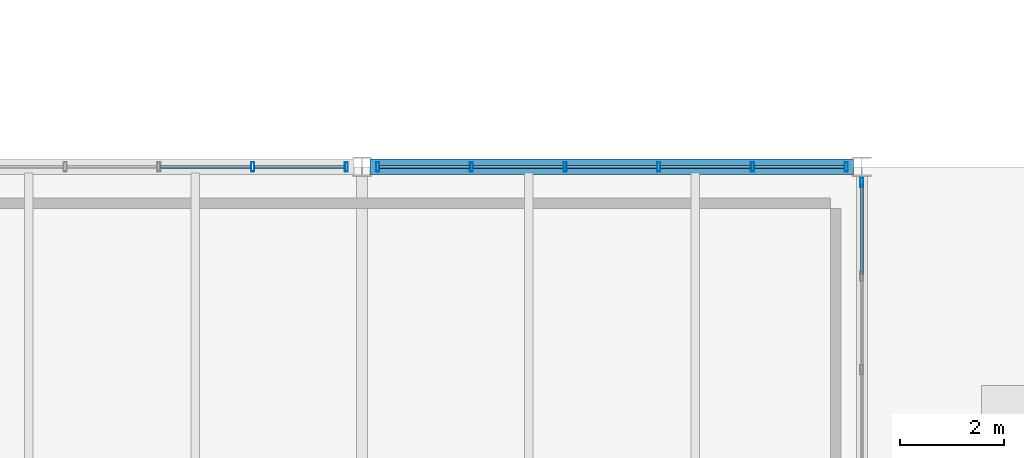
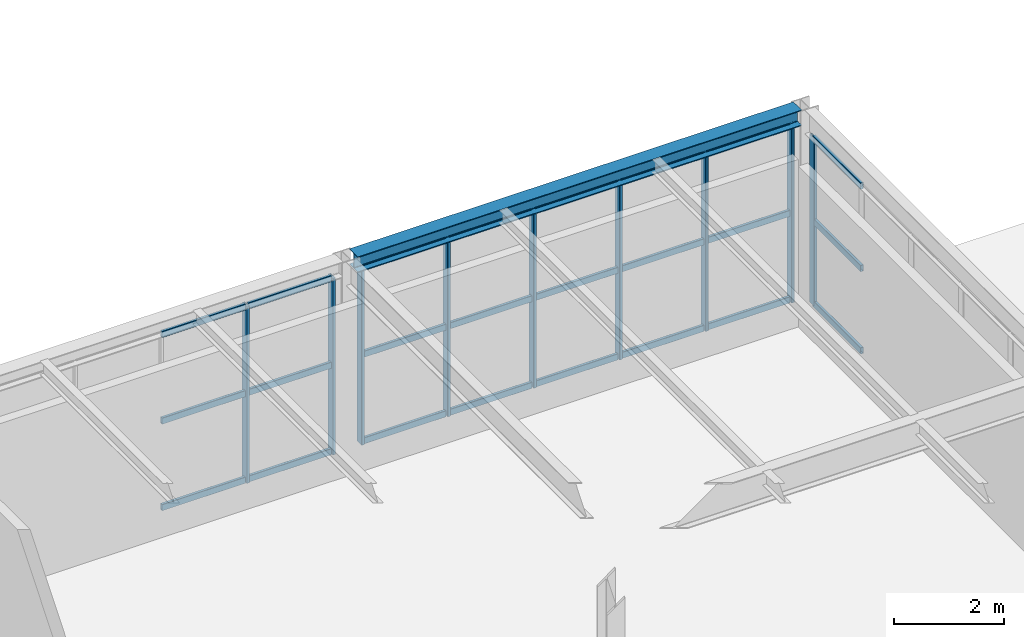
# One storey, part 49 of 170: 33 members, 1 beam, 3 elements without a shape of their own.
"""IFC4 building model written with IfcOpenShell, lengths in metres."""

from ifc_helpers import new_model, si_unit, direction, frame, origin, origin_2d, place, context, subcontext, project, spatial, hollow_rectangle, i_section, extrude, material, material_profile, profile_set, type_object, element, aggregate, save


model = new_model("IFC4")

# Units and contexts
model_context = context("Model", 3, precision=1e-05, world=origin(), true_north=direction((0.0, 1.0)))
body_context = subcontext(model_context, "Body", "Model", "MODEL_VIEW")
ifc_project = project(units=[si_unit("LENGTHUNIT", "METRE"), si_unit("AREAUNIT", "SQUARE_METRE"), si_unit("VOLUMEUNIT", "CUBIC_METRE"), si_unit("PLANEANGLEUNIT", "RADIAN"), si_unit("MASSUNIT", "GRAM", prefix="KILO")], contexts=[model_context])

# Site, building, storey
site_placement = place(None, origin())
site = spatial("IfcSite", under=ifc_project, at=site_placement, CompositionType="ELEMENT")
building_placement = place(site_placement, origin())
building = spatial("IfcBuilding", under=site, at=building_placement, Name="Coralgate Yard Interchange", CompositionType="ELEMENT")
storey_placement = place(building_placement, frame((0.0, 0.0, 6.0)))
storey = spatial("IfcBuildingStorey", under=building, at=storey_placement, Name="L01", CompositionType="ELEMENT", Elevation=6.0)

# Beam
ifc_material_1 = material(Name="Structural steel S355J2", Category="steel")
ifc_material_profile_1 = material_profile(ifc_material_1, i_section(OverallWidth=0.300048828125, OverallDepth=0.35009765625, WebThickness=0.010009765625, FlangeThickness=0.017578125, FilletRadius=0.027099609375, at=origin_2d()), Name="HEA 360")
ifc_profile_set_1 = profile_set([ifc_material_profile_1], Name="Structural steel S355J2")
beam_type = type_object("IfcBeamType", Name="BM-SP-1", PredefinedType="SPANDREL", material=ifc_profile_set_1)
beam_placement = place(storey_placement, frame((19.356201171875, 57.60009765625, 4.074951171875), z_axis=(1.0, 0.0, 0.0), x_axis=(0.0, 1.0, 0.0)))
element("IfcBeam", 1, at=beam_placement, inside=storey, type_object=beam_type, Name="L01 primary grid beam Y6 X2-3", PredefinedType="SPANDREL", context=body_context, shape_type="SweptSolid", body=[
    extrude(i_section(OverallWidth=0.300048828125, OverallDepth=0.35009765625, WebThickness=0.010009765625, FlangeThickness=0.017578125, FilletRadius=0.027099609375, at=origin_2d()), origin(), (0.0, 0.0, 1.0), 9.28759765625),
])

# Curtain wall, members
ifc_material_2 = material(Name="Anodised coastal aluminium and solar-control low-E glass", Category="aluminium")
curtain_wall_type_1 = type_object("IfcCurtainWallType", Name="CW-CW-L01-B", PredefinedType="NOTDEFINED", material=ifc_material_2)
curtain_wall_1_placement = place(storey_placement, origin())
curtain_wall_1 = element("IfcCurtainWall", 2, at=curtain_wall_1_placement, inside=storey, type_object=curtain_wall_type_1, Name="L01 unitised curtain wall CW-L01-N-01-05", PredefinedType="NOTDEFINED")
ifc_material_3 = material(Name="Anodised coastal aluminium 6063-T6", Category="aluminium")
ifc_material_profile_2 = material_profile(ifc_material_3, hollow_rectangle(XDim=0.06005859375, YDim=0.179931640625, WallThickness=0.00390625, InnerFilletRadius=0.00390625, OuterFilletRadius=0.008056640625, at=origin_2d()), Name="ALU 60x180x4")
ifc_profile_set_2 = profile_set([ifc_material_profile_2], Name="Anodised coastal aluminium 6063-T6")
member_type_1 = type_object("IfcMemberType", Name="MB-MUL-180", PredefinedType="MULLION", material=ifc_profile_set_2)
member_1_placement = place(storey_placement, frame((17.10009765625, 57.60009765625, 0.0), z_axis=(0.0, 0.0, 1.0), x_axis=(1.0, 0.0, 0.0)))
member_1 = element("IfcMember", 3, at=member_1_placement, type_object=member_type_1, Name="CW-L01-N-01-05 vertical mullion 5", PredefinedType="MULLION", context=body_context, shape_type="SweptSolid", body=[
    extrude(hollow_rectangle(XDim=0.06005859375, YDim=0.179931640625, WallThickness=0.00390625, InnerFilletRadius=0.00390625, OuterFilletRadius=0.008056640625, at=origin_2d()), origin(), (0.0, 0.0, 1.0), 3.89990234375),
])
member_2_placement = place(storey_placement, frame((18.89990234375, 57.60009765625, 0.0), z_axis=(0.0, 0.0, 1.0), x_axis=(1.0, 0.0, 0.0)))
member_2 = element("IfcMember", 4, at=member_2_placement, type_object=member_type_1, Name="CW-L01-N-01-05 vertical mullion 6", PredefinedType="MULLION", context=body_context, shape_type="SweptSolid", body=[
    extrude(hollow_rectangle(XDim=0.06005859375, YDim=0.179931640625, WallThickness=0.00390625, InnerFilletRadius=0.00390625, OuterFilletRadius=0.008056640625, at=origin_2d()), origin(), (0.0, 0.0, 1.0), 3.89990234375),
])

curtain_wall_2_placement = place(storey_placement, origin())
curtain_wall_2 = element("IfcCurtainWall", 5, at=curtain_wall_2_placement, inside=storey, type_object=curtain_wall_type_1, Name="L01 unitised curtain wall CW-L01-N-02-05", PredefinedType="NOTDEFINED")
member_3_placement = place(storey_placement, frame((19.5, 57.60009765625, 0.0), z_axis=(0.0, 0.0, 1.0), x_axis=(1.0, 0.0, 0.0)))
member_3 = element("IfcMember", 6, at=member_3_placement, type_object=member_type_1, Name="CW-L01-N-02-05 vertical mullion 1", PredefinedType="MULLION", context=body_context, shape_type="SweptSolid", body=[
    extrude(hollow_rectangle(XDim=0.06005859375, YDim=0.179931640625, WallThickness=0.00390625, InnerFilletRadius=0.00390625, OuterFilletRadius=0.008056640625, at=origin_2d()), origin(), (0.0, 0.0, 1.0), 3.89990234375),
])
member_4_placement = place(storey_placement, frame((21.300048828125, 57.60009765625, 0.0), z_axis=(0.0, 0.0, 1.0), x_axis=(1.0, 0.0, 0.0)))
member_4 = element("IfcMember", 7, at=member_4_placement, type_object=member_type_1, Name="CW-L01-N-02-05 vertical mullion 2", PredefinedType="MULLION", context=body_context, shape_type="SweptSolid", body=[
    extrude(hollow_rectangle(XDim=0.06005859375, YDim=0.179931640625, WallThickness=0.00390625, InnerFilletRadius=0.00390625, OuterFilletRadius=0.008056640625, at=origin_2d()), origin(), (0.0, 0.0, 1.0), 3.89990234375),
])
member_5_placement = place(storey_placement, frame((23.10009765625, 57.60009765625, 0.0), z_axis=(0.0, 0.0, 1.0), x_axis=(1.0, 0.0, 0.0)))
member_5 = element("IfcMember", 8, at=member_5_placement, type_object=member_type_1, Name="CW-L01-N-02-05 vertical mullion 3", PredefinedType="MULLION", context=body_context, shape_type="SweptSolid", body=[
    extrude(hollow_rectangle(XDim=0.06005859375, YDim=0.179931640625, WallThickness=0.00390625, InnerFilletRadius=0.00390625, OuterFilletRadius=0.008056640625, at=origin_2d()), origin(), (0.0, 0.0, 1.0), 3.89990234375),
])
member_6_placement = place(storey_placement, frame((24.89990234375, 57.60009765625, 0.0), z_axis=(0.0, 0.0, 1.0), x_axis=(1.0, 0.0, 0.0)))
member_6 = element("IfcMember", 9, at=member_6_placement, type_object=member_type_1, Name="CW-L01-N-02-05 vertical mullion 4", PredefinedType="MULLION", context=body_context, shape_type="SweptSolid", body=[
    extrude(hollow_rectangle(XDim=0.06005859375, YDim=0.179931640625, WallThickness=0.00390625, InnerFilletRadius=0.00390625, OuterFilletRadius=0.008056640625, at=origin_2d()), origin(), (0.0, 0.0, 1.0), 3.89990234375),
])
member_7_placement = place(storey_placement, frame((26.699951171875, 57.60009765625, 0.0), z_axis=(0.0, 0.0, 1.0), x_axis=(1.0, 0.0, 0.0)))
member_7 = element("IfcMember", 10, at=member_7_placement, type_object=member_type_1, Name="CW-L01-N-02-05 vertical mullion 5", PredefinedType="MULLION", context=body_context, shape_type="SweptSolid", body=[
    extrude(hollow_rectangle(XDim=0.06005859375, YDim=0.179931640625, WallThickness=0.00390625, InnerFilletRadius=0.00390625, OuterFilletRadius=0.008056640625, at=origin_2d()), origin(), (0.0, 0.0, 1.0), 3.89990234375),
])
member_8_placement = place(storey_placement, frame((28.5, 57.60009765625, 0.0), z_axis=(0.0, 0.0, 1.0), x_axis=(1.0, 0.0, 0.0)))
member_8 = element("IfcMember", 11, at=member_8_placement, type_object=member_type_1, Name="CW-L01-N-02-05 vertical mullion 6", PredefinedType="MULLION", context=body_context, shape_type="SweptSolid", body=[
    extrude(hollow_rectangle(XDim=0.06005859375, YDim=0.179931640625, WallThickness=0.00390625, InnerFilletRadius=0.00390625, OuterFilletRadius=0.008056640625, at=origin_2d()), origin(), (0.0, 0.0, 1.0), 3.89990234375),
])

# Curtain wall, member
curtain_wall_type_2 = type_object("IfcCurtainWallType", Name="CW-CW-L01-A", PredefinedType="NOTDEFINED", material=ifc_material_2)
curtain_wall_3_placement = place(storey_placement, origin())
curtain_wall_3 = element("IfcCurtainWall", 12, at=curtain_wall_3_placement, inside=storey, type_object=curtain_wall_type_2, Name="L01 unitised curtain wall CW-L01-E-02-05", PredefinedType="NOTDEFINED")
member_9_placement = place(storey_placement, frame((28.800048828125, 57.300048828125, 0.0), z_axis=(0.0, 0.0, 1.0), x_axis=(1.0, 0.0, 0.0)))
member_9 = element("IfcMember", 13, at=member_9_placement, type_object=member_type_1, Name="CW-L01-E-02-05 vertical mullion 1", PredefinedType="MULLION", context=body_context, shape_type="SweptSolid", body=[
    extrude(hollow_rectangle(XDim=0.06005859375, YDim=0.179931640625, WallThickness=0.00390625, InnerFilletRadius=0.00390625, OuterFilletRadius=0.008056640625, at=origin_2d()), origin(), (0.0, 0.0, 1.0), 3.716796875),
])

# Member
ifc_material_profile_3 = material_profile(ifc_material_3, hollow_rectangle(XDim=0.06005859375, YDim=0.139892578125, WallThickness=0.00341796875, InnerFilletRadius=0.00341796875, OuterFilletRadius=0.007080078125, at=origin_2d()), Name="ALU 60x140x3.5")
ifc_profile_set_3 = profile_set([ifc_material_profile_3], Name="Anodised coastal aluminium 6063-T6")
member_type_2 = type_object("IfcMemberType", Name="MB-TRN-140", PredefinedType="USERDEFINED", material=ifc_profile_set_3)
member_10_placement = place(storey_placement, frame((15.330078125, 57.60009765625, 0.034912109375), z_axis=(1.0, 0.0, 0.0), x_axis=(0.0, 1.0, 0.0)))
member_10 = element("IfcMember", 14, at=member_10_placement, type_object=member_type_2, Name="CW-L01-N-01-05 horizontal transom 4-1", ObjectType="TRANSOM", PredefinedType="USERDEFINED", context=body_context, shape_type="SweptSolid", body=[
    extrude(hollow_rectangle(XDim=0.06005859375, YDim=0.139892578125, WallThickness=0.00341796875, InnerFilletRadius=0.00341796875, OuterFilletRadius=0.007080078125, at=origin_2d()), origin(), (0.0, 0.0, 1.0), 1.739990234375),
])

member_11_placement = place(storey_placement, frame((15.330078125, 57.60009765625, 1.949951171875), z_axis=(1.0, 0.0, 0.0), x_axis=(0.0, 1.0, 0.0)))
member_11 = element("IfcMember", 15, at=member_11_placement, type_object=member_type_2, Name="CW-L01-N-01-05 horizontal transom 4-2", ObjectType="TRANSOM", PredefinedType="USERDEFINED", context=body_context, shape_type="SweptSolid", body=[
    extrude(hollow_rectangle(XDim=0.06005859375, YDim=0.139892578125, WallThickness=0.00341796875, InnerFilletRadius=0.00341796875, OuterFilletRadius=0.007080078125, at=origin_2d()), origin(), (0.0, 0.0, 1.0), 1.739990234375),
])

member_12_placement = place(storey_placement, frame((15.330078125, 57.60009765625, 3.864990234375), z_axis=(1.0, 0.0, 0.0), x_axis=(0.0, 1.0, 0.0)))
member_12 = element("IfcMember", 16, at=member_12_placement, type_object=member_type_2, Name="CW-L01-N-01-05 horizontal transom 4-3", ObjectType="TRANSOM", PredefinedType="USERDEFINED", context=body_context, shape_type="SweptSolid", body=[
    extrude(hollow_rectangle(XDim=0.06005859375, YDim=0.139892578125, WallThickness=0.00341796875, InnerFilletRadius=0.00341796875, OuterFilletRadius=0.007080078125, at=origin_2d()), origin(), (0.0, 0.0, 1.0), 1.739990234375),
])

member_13_placement = place(storey_placement, frame((17.1298828125, 57.60009765625, 0.034912109375), z_axis=(1.0, 0.0, 0.0), x_axis=(0.0, 1.0, 0.0)))
member_13 = element("IfcMember", 17, at=member_13_placement, type_object=member_type_2, Name="CW-L01-N-01-05 horizontal transom 5-1", ObjectType="TRANSOM", PredefinedType="USERDEFINED", context=body_context, shape_type="SweptSolid", body=[
    extrude(hollow_rectangle(XDim=0.06005859375, YDim=0.139892578125, WallThickness=0.00341796875, InnerFilletRadius=0.00341796875, OuterFilletRadius=0.007080078125, at=origin_2d()), origin(), (0.0, 0.0, 1.0), 1.740234375),
])

member_14_placement = place(storey_placement, frame((17.1298828125, 57.60009765625, 1.949951171875), z_axis=(1.0, 0.0, 0.0), x_axis=(0.0, 1.0, 0.0)))
member_14 = element("IfcMember", 18, at=member_14_placement, type_object=member_type_2, Name="CW-L01-N-01-05 horizontal transom 5-2", ObjectType="TRANSOM", PredefinedType="USERDEFINED", context=body_context, shape_type="SweptSolid", body=[
    extrude(hollow_rectangle(XDim=0.06005859375, YDim=0.139892578125, WallThickness=0.00341796875, InnerFilletRadius=0.00341796875, OuterFilletRadius=0.007080078125, at=origin_2d()), origin(), (0.0, 0.0, 1.0), 1.740234375),
])

member_15_placement = place(storey_placement, frame((17.1298828125, 57.60009765625, 3.864990234375), z_axis=(1.0, 0.0, 0.0), x_axis=(0.0, 1.0, 0.0)))
member_15 = element("IfcMember", 19, at=member_15_placement, type_object=member_type_2, Name="CW-L01-N-01-05 horizontal transom 5-3", ObjectType="TRANSOM", PredefinedType="USERDEFINED", context=body_context, shape_type="SweptSolid", body=[
    extrude(hollow_rectangle(XDim=0.06005859375, YDim=0.139892578125, WallThickness=0.00341796875, InnerFilletRadius=0.00341796875, OuterFilletRadius=0.007080078125, at=origin_2d()), origin(), (0.0, 0.0, 1.0), 1.740234375),
])

aggregate(curtain_wall_1, [member_1, member_2, member_10, member_11, member_12, member_13, member_14, member_15])

member_16_placement = place(storey_placement, frame((19.530029296875, 57.60009765625, 0.034912109375), z_axis=(1.0, 0.0, 0.0), x_axis=(0.0, 1.0, 0.0)))
member_16 = element("IfcMember", 20, at=member_16_placement, type_object=member_type_2, Name="CW-L01-N-02-05 horizontal transom 1-1", ObjectType="TRANSOM", PredefinedType="USERDEFINED", context=body_context, shape_type="SweptSolid", body=[
    extrude(hollow_rectangle(XDim=0.06005859375, YDim=0.139892578125, WallThickness=0.00341796875, InnerFilletRadius=0.00341796875, OuterFilletRadius=0.007080078125, at=origin_2d()), origin(), (0.0, 0.0, 1.0), 1.739990234375),
])

member_17_placement = place(storey_placement, frame((19.530029296875, 57.60009765625, 1.949951171875), z_axis=(1.0, 0.0, 0.0), x_axis=(0.0, 1.0, 0.0)))
member_17 = element("IfcMember", 21, at=member_17_placement, type_object=member_type_2, Name="CW-L01-N-02-05 horizontal transom 1-2", ObjectType="TRANSOM", PredefinedType="USERDEFINED", context=body_context, shape_type="SweptSolid", body=[
    extrude(hollow_rectangle(XDim=0.06005859375, YDim=0.139892578125, WallThickness=0.00341796875, InnerFilletRadius=0.00341796875, OuterFilletRadius=0.007080078125, at=origin_2d()), origin(), (0.0, 0.0, 1.0), 1.739990234375),
])

member_18_placement = place(storey_placement, frame((19.530029296875, 57.60009765625, 3.864990234375), z_axis=(1.0, 0.0, 0.0), x_axis=(0.0, 1.0, 0.0)))
member_18 = element("IfcMember", 22, at=member_18_placement, type_object=member_type_2, Name="CW-L01-N-02-05 horizontal transom 1-3", ObjectType="TRANSOM", PredefinedType="USERDEFINED", context=body_context, shape_type="SweptSolid", body=[
    extrude(hollow_rectangle(XDim=0.06005859375, YDim=0.139892578125, WallThickness=0.00341796875, InnerFilletRadius=0.00341796875, OuterFilletRadius=0.007080078125, at=origin_2d()), origin(), (0.0, 0.0, 1.0), 1.739990234375),
])

member_19_placement = place(storey_placement, frame((21.330078125, 57.60009765625, 0.034912109375), z_axis=(1.0, 0.0, 0.0), x_axis=(0.0, 1.0, 0.0)))
member_19 = element("IfcMember", 23, at=member_19_placement, type_object=member_type_2, Name="CW-L01-N-02-05 horizontal transom 2-1", ObjectType="TRANSOM", PredefinedType="USERDEFINED", context=body_context, shape_type="SweptSolid", body=[
    extrude(hollow_rectangle(XDim=0.06005859375, YDim=0.139892578125, WallThickness=0.00341796875, InnerFilletRadius=0.00341796875, OuterFilletRadius=0.007080078125, at=origin_2d()), origin(), (0.0, 0.0, 1.0), 1.739990234375),
])

member_20_placement = place(storey_placement, frame((21.330078125, 57.60009765625, 1.949951171875), z_axis=(1.0, 0.0, 0.0), x_axis=(0.0, 1.0, 0.0)))
member_20 = element("IfcMember", 24, at=member_20_placement, type_object=member_type_2, Name="CW-L01-N-02-05 horizontal transom 2-2", ObjectType="TRANSOM", PredefinedType="USERDEFINED", context=body_context, shape_type="SweptSolid", body=[
    extrude(hollow_rectangle(XDim=0.06005859375, YDim=0.139892578125, WallThickness=0.00341796875, InnerFilletRadius=0.00341796875, OuterFilletRadius=0.007080078125, at=origin_2d()), origin(), (0.0, 0.0, 1.0), 1.739990234375),
])

member_21_placement = place(storey_placement, frame((21.330078125, 57.60009765625, 3.864990234375), z_axis=(1.0, 0.0, 0.0), x_axis=(0.0, 1.0, 0.0)))
member_21 = element("IfcMember", 25, at=member_21_placement, type_object=member_type_2, Name="CW-L01-N-02-05 horizontal transom 2-3", ObjectType="TRANSOM", PredefinedType="USERDEFINED", context=body_context, shape_type="SweptSolid", body=[
    extrude(hollow_rectangle(XDim=0.06005859375, YDim=0.139892578125, WallThickness=0.00341796875, InnerFilletRadius=0.00341796875, OuterFilletRadius=0.007080078125, at=origin_2d()), origin(), (0.0, 0.0, 1.0), 1.739990234375),
])

member_22_placement = place(storey_placement, frame((23.1298828125, 57.60009765625, 0.034912109375), z_axis=(1.0, 0.0, 0.0), x_axis=(0.0, 1.0, 0.0)))
member_22 = element("IfcMember", 26, at=member_22_placement, type_object=member_type_2, Name="CW-L01-N-02-05 horizontal transom 3-1", ObjectType="TRANSOM", PredefinedType="USERDEFINED", context=body_context, shape_type="SweptSolid", body=[
    extrude(hollow_rectangle(XDim=0.06005859375, YDim=0.139892578125, WallThickness=0.00341796875, InnerFilletRadius=0.00341796875, OuterFilletRadius=0.007080078125, at=origin_2d()), origin(), (0.0, 0.0, 1.0), 1.740234375),
])

member_23_placement = place(storey_placement, frame((23.1298828125, 57.60009765625, 1.949951171875), z_axis=(1.0, 0.0, 0.0), x_axis=(0.0, 1.0, 0.0)))
member_23 = element("IfcMember", 27, at=member_23_placement, type_object=member_type_2, Name="CW-L01-N-02-05 horizontal transom 3-2", ObjectType="TRANSOM", PredefinedType="USERDEFINED", context=body_context, shape_type="SweptSolid", body=[
    extrude(hollow_rectangle(XDim=0.06005859375, YDim=0.139892578125, WallThickness=0.00341796875, InnerFilletRadius=0.00341796875, OuterFilletRadius=0.007080078125, at=origin_2d()), origin(), (0.0, 0.0, 1.0), 1.740234375),
])

member_24_placement = place(storey_placement, frame((23.1298828125, 57.60009765625, 3.864990234375), z_axis=(1.0, 0.0, 0.0), x_axis=(0.0, 1.0, 0.0)))
member_24 = element("IfcMember", 28, at=member_24_placement, type_object=member_type_2, Name="CW-L01-N-02-05 horizontal transom 3-3", ObjectType="TRANSOM", PredefinedType="USERDEFINED", context=body_context, shape_type="SweptSolid", body=[
    extrude(hollow_rectangle(XDim=0.06005859375, YDim=0.139892578125, WallThickness=0.00341796875, InnerFilletRadius=0.00341796875, OuterFilletRadius=0.007080078125, at=origin_2d()), origin(), (0.0, 0.0, 1.0), 1.740234375),
])

member_25_placement = place(storey_placement, frame((24.929931640625, 57.60009765625, 0.034912109375), z_axis=(1.0, 0.0, 0.0), x_axis=(0.0, 1.0, 0.0)))
member_25 = element("IfcMember", 29, at=member_25_placement, type_object=member_type_2, Name="CW-L01-N-02-05 horizontal transom 4-1", ObjectType="TRANSOM", PredefinedType="USERDEFINED", context=body_context, shape_type="SweptSolid", body=[
    extrude(hollow_rectangle(XDim=0.06005859375, YDim=0.139892578125, WallThickness=0.00341796875, InnerFilletRadius=0.00341796875, OuterFilletRadius=0.007080078125, at=origin_2d()), origin(), (0.0, 0.0, 1.0), 1.739990234375),
])

member_26_placement = place(storey_placement, frame((24.929931640625, 57.60009765625, 1.949951171875), z_axis=(1.0, 0.0, 0.0), x_axis=(0.0, 1.0, 0.0)))
member_26 = element("IfcMember", 30, at=member_26_placement, type_object=member_type_2, Name="CW-L01-N-02-05 horizontal transom 4-2", ObjectType="TRANSOM", PredefinedType="USERDEFINED", context=body_context, shape_type="SweptSolid", body=[
    extrude(hollow_rectangle(XDim=0.06005859375, YDim=0.139892578125, WallThickness=0.00341796875, InnerFilletRadius=0.00341796875, OuterFilletRadius=0.007080078125, at=origin_2d()), origin(), (0.0, 0.0, 1.0), 1.739990234375),
])

member_27_placement = place(storey_placement, frame((24.929931640625, 57.60009765625, 3.864990234375), z_axis=(1.0, 0.0, 0.0), x_axis=(0.0, 1.0, 0.0)))
member_27 = element("IfcMember", 31, at=member_27_placement, type_object=member_type_2, Name="CW-L01-N-02-05 horizontal transom 4-3", ObjectType="TRANSOM", PredefinedType="USERDEFINED", context=body_context, shape_type="SweptSolid", body=[
    extrude(hollow_rectangle(XDim=0.06005859375, YDim=0.139892578125, WallThickness=0.00341796875, InnerFilletRadius=0.00341796875, OuterFilletRadius=0.007080078125, at=origin_2d()), origin(), (0.0, 0.0, 1.0), 1.739990234375),
])

member_28_placement = place(storey_placement, frame((26.72998046875, 57.60009765625, 0.034912109375), z_axis=(1.0, 0.0, 0.0), x_axis=(0.0, 1.0, 0.0)))
member_28 = element("IfcMember", 32, at=member_28_placement, type_object=member_type_2, Name="CW-L01-N-02-05 horizontal transom 5-1", ObjectType="TRANSOM", PredefinedType="USERDEFINED", context=body_context, shape_type="SweptSolid", body=[
    extrude(hollow_rectangle(XDim=0.06005859375, YDim=0.139892578125, WallThickness=0.00341796875, InnerFilletRadius=0.00341796875, OuterFilletRadius=0.007080078125, at=origin_2d()), origin(), (0.0, 0.0, 1.0), 1.739990234375),
])

member_29_placement = place(storey_placement, frame((26.72998046875, 57.60009765625, 1.949951171875), z_axis=(1.0, 0.0, 0.0), x_axis=(0.0, 1.0, 0.0)))
member_29 = element("IfcMember", 33, at=member_29_placement, type_object=member_type_2, Name="CW-L01-N-02-05 horizontal transom 5-2", ObjectType="TRANSOM", PredefinedType="USERDEFINED", context=body_context, shape_type="SweptSolid", body=[
    extrude(hollow_rectangle(XDim=0.06005859375, YDim=0.139892578125, WallThickness=0.00341796875, InnerFilletRadius=0.00341796875, OuterFilletRadius=0.007080078125, at=origin_2d()), origin(), (0.0, 0.0, 1.0), 1.739990234375),
])

member_30_placement = place(storey_placement, frame((26.72998046875, 57.60009765625, 3.864990234375), z_axis=(1.0, 0.0, 0.0), x_axis=(0.0, 1.0, 0.0)))
member_30 = element("IfcMember", 34, at=member_30_placement, type_object=member_type_2, Name="CW-L01-N-02-05 horizontal transom 5-3", ObjectType="TRANSOM", PredefinedType="USERDEFINED", context=body_context, shape_type="SweptSolid", body=[
    extrude(hollow_rectangle(XDim=0.06005859375, YDim=0.139892578125, WallThickness=0.00341796875, InnerFilletRadius=0.00341796875, OuterFilletRadius=0.007080078125, at=origin_2d()), origin(), (0.0, 0.0, 1.0), 1.739990234375),
])

aggregate(curtain_wall_2, [member_3, member_4, member_5, member_6, member_7, member_8, member_16, member_17, member_18, member_19, member_20, member_21, member_22, member_23, member_24, member_25, member_26, member_27, member_28, member_29, member_30])

member_31_placement = place(storey_placement, frame((28.800048828125, 57.27001953125, 0.034912109375), z_axis=(0.0, -1.0, 0.0), x_axis=(1.0, 0.0, 0.0)))
member_31 = element("IfcMember", 35, at=member_31_placement, type_object=member_type_2, Name="CW-L01-E-02-05 horizontal transom 1-1", ObjectType="TRANSOM", PredefinedType="USERDEFINED", context=body_context, shape_type="SweptSolid", body=[
    extrude(hollow_rectangle(XDim=0.06005859375, YDim=0.139892578125, WallThickness=0.00341796875, InnerFilletRadius=0.00341796875, OuterFilletRadius=0.007080078125, at=origin_2d()), origin(), (0.0, 0.0, 1.0), 1.739990234375),
])

member_32_placement = place(storey_placement, frame((28.800048828125, 57.27001953125, 1.8583984375), z_axis=(0.0, -1.0, 0.0), x_axis=(1.0, 0.0, 0.0)))
member_32 = element("IfcMember", 36, at=member_32_placement, type_object=member_type_2, Name="CW-L01-E-02-05 horizontal transom 1-2", ObjectType="TRANSOM", PredefinedType="USERDEFINED", context=body_context, shape_type="SweptSolid", body=[
    extrude(hollow_rectangle(XDim=0.06005859375, YDim=0.139892578125, WallThickness=0.00341796875, InnerFilletRadius=0.00341796875, OuterFilletRadius=0.007080078125, at=origin_2d()), origin(), (0.0, 0.0, 1.0), 1.739990234375),
])

member_33_placement = place(storey_placement, frame((28.800048828125, 57.27001953125, 3.681884765625), z_axis=(0.0, -1.0, 0.0), x_axis=(1.0, 0.0, 0.0)))
member_33 = element("IfcMember", 37, at=member_33_placement, type_object=member_type_2, Name="CW-L01-E-02-05 horizontal transom 1-3", ObjectType="TRANSOM", PredefinedType="USERDEFINED", context=body_context, shape_type="SweptSolid", body=[
    extrude(hollow_rectangle(XDim=0.06005859375, YDim=0.139892578125, WallThickness=0.00341796875, InnerFilletRadius=0.00341796875, OuterFilletRadius=0.007080078125, at=origin_2d()), origin(), (0.0, 0.0, 1.0), 1.739990234375),
])

aggregate(curtain_wall_3, [member_9, member_31, member_32, member_33])

save(model, "model.ifc")
